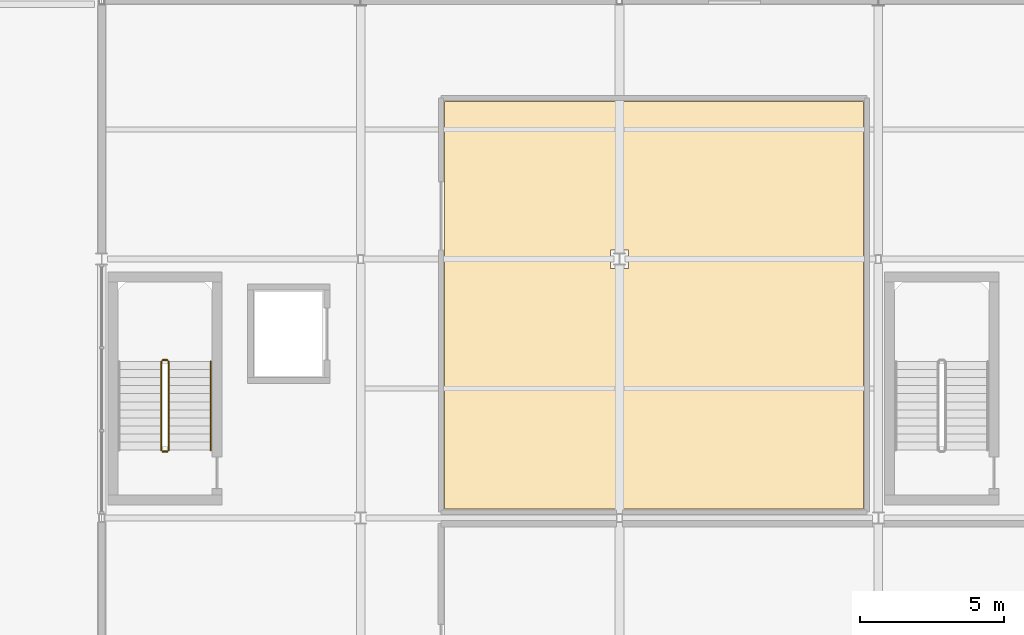
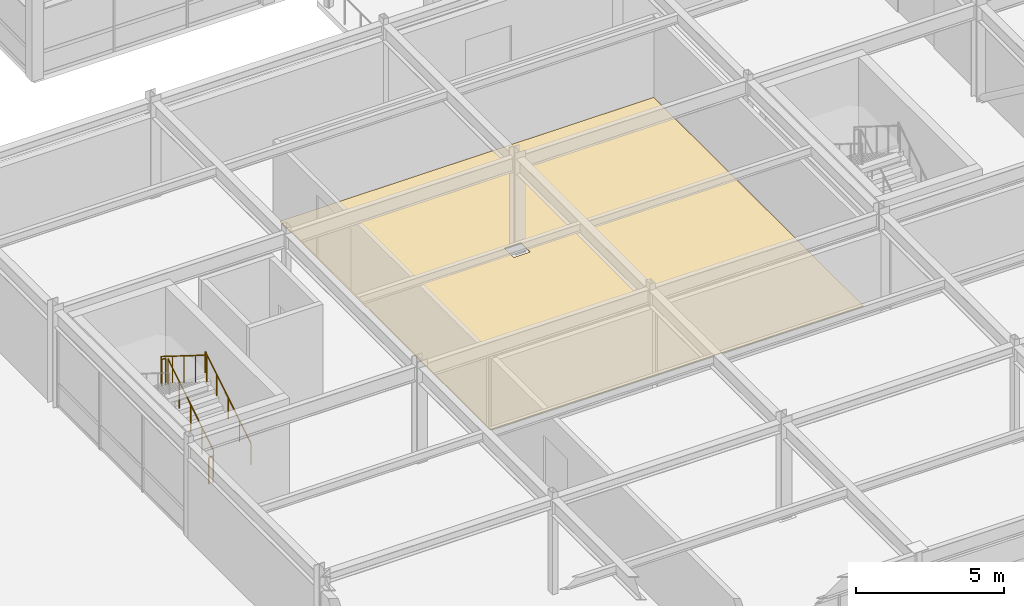
# One storey, part 99 of 105: 5 railings, 1 covering.
"""IFC4 building model written with IfcOpenShell, lengths in metres."""

from ifc_helpers import new_model, si_unit, direction, frame, origin, origin_2d, place, context, subcontext, project, spatial, polyline, circle, outline, extrude, material, layer, layer_set, type_object, element, save


model = new_model("IFC4")

# Units and contexts
model_context = context("Model", 3, precision=1e-05, world=origin(), true_north=direction((0.0, 1.0)))
body_context = subcontext(model_context, "Body", "Model", "MODEL_VIEW")
ifc_project = project(units=[si_unit("LENGTHUNIT", "METRE"), si_unit("AREAUNIT", "SQUARE_METRE"), si_unit("VOLUMEUNIT", "CUBIC_METRE"), si_unit("PLANEANGLEUNIT", "RADIAN"), si_unit("MASSUNIT", "GRAM", prefix="KILO")], contexts=[model_context])

# Site, building, storey
site_placement = place(None, origin())
site = spatial("IfcSite", under=ifc_project, at=site_placement, CompositionType="ELEMENT")
building_placement = place(site_placement, origin())
building = spatial("IfcBuilding", under=site, at=building_placement, Name="Suzunagisa Mobility Hub", CompositionType="ELEMENT")
storey_placement = place(building_placement, frame((0.0, 0.0, 5.10009765625)))
storey = spatial("IfcBuildingStorey", under=building, at=storey_placement, Name="L01", CompositionType="ELEMENT", Elevation=5.10009765625)

# Railings
ifc_material_1 = material(Name="Stainless Steel SUS304", Category="metal")
railing_type_1 = type_object("IfcRailingType", Name="Interior Well Guardrail IGR-01", PredefinedType="GUARDRAIL", material=ifc_material_1)
railing_1_placement = place(storey_placement, frame((137.330078125, 20.360107421875, 0.1748046875)))
element("IfcRailing", 1, at=railing_1_placement, inside=storey, type_object=railing_type_1, Name="L01 ST-09 stair guard 1", PredefinedType="GUARDRAIL", context=body_context, shape_type="SweptSolid", body=[
    extrude(circle(Radius=0.02392578125, at=origin_2d()), frame((0.0, 0.0, 1.09619140625), z_axis=(0.0, 0.847979421464, 0.530029150871), x_axis=(-1.0, 0.0, 0.0)), (0.0, 0.0, 1.0), 3.632080078125),
    extrude(circle(Radius=0.02099609375, at=origin_2d()), origin(), (0.0, 0.0, 1.0), 1.072021484375),
    extrude(circle(Radius=0.02099609375, at=origin_2d()), frame((0.0, 0.77001953125, 0.481201171875)), (0.0, 0.0, 1.0), 1.072021484375),
    extrude(circle(Radius=0.02099609375, at=origin_2d()), frame((0.0, 1.5400390625, 0.96240234375)), (0.0, 0.0, 1.0), 1.072021484375),
    extrude(circle(Radius=0.02099609375, at=origin_2d()), frame((0.0, 2.309814453125, 1.44384765625)), (0.0, 0.0, 1.0), 1.072021484375),
    extrude(circle(Radius=0.02099609375, at=origin_2d()), frame((0.0, 3.079833984375, 1.925048828125)), (0.0, 0.0, 1.0), 1.072021484375),
])
railing_2_placement = place(storey_placement, frame((137.280029296875, 23.489990234375, 2.099853515625)))
element("IfcRailing", 2, at=railing_2_placement, inside=storey, type_object=railing_type_1, Name="L01 ST-09 stair guard 2", PredefinedType="GUARDRAIL", context=body_context, shape_type="SweptSolid", body=[
    extrude(circle(Radius=0.02392578125, at=origin_2d()), frame((0.0, 0.0, 1.09619140625), z_axis=(-1.0, 0.0, 0.0), x_axis=(0.0, -1.0, 0.0)), (0.0, 0.0, 1.0), 0.159912109375),
    extrude(circle(Radius=0.02099609375, at=origin_2d()), origin(), (0.0, 0.0, 1.0), 1.072021484375),
    extrude(circle(Radius=0.02099609375, at=origin_2d()), frame((-0.159912109375, 0.0, 0.0)), (0.0, 0.0, 1.0), 1.072021484375),
])
railing_3_placement = place(storey_placement, frame((137.070068359375, 23.43994140625, 2.27490234375)))
element("IfcRailing", 3, at=railing_3_placement, inside=storey, type_object=railing_type_1, Name="L01 ST-09 stair guard 3", PredefinedType="GUARDRAIL", context=body_context, shape_type="SweptSolid", body=[
    extrude(circle(Radius=0.02392578125, at=origin_2d()), frame((0.0, 0.0, 1.09619140625), z_axis=(0.0, -0.847979421464, 0.530029150871), x_axis=(1.0, 0.0, 0.0)), (0.0, 0.0, 1.0), 3.632080078125),
    extrude(circle(Radius=0.02099609375, at=origin_2d()), origin(), (0.0, 0.0, 1.0), 1.072021484375),
    extrude(circle(Radius=0.02099609375, at=origin_2d()), frame((0.0, -0.77001953125, 0.481201171875)), (0.0, 0.0, 1.0), 1.072021484375),
    extrude(circle(Radius=0.02099609375, at=origin_2d()), frame((0.0, -1.5400390625, 0.96240234375)), (0.0, 0.0, 1.0), 1.072021484375),
    extrude(circle(Radius=0.02099609375, at=origin_2d()), frame((0.0, -2.309814453125, 1.44384765625)), (0.0, 0.0, 1.0), 1.072021484375),
    extrude(circle(Radius=0.02099609375, at=origin_2d()), frame((0.0, -3.079833984375, 1.925048828125)), (0.0, 0.0, 1.0), 1.072021484375),
])
railing_4_placement = place(storey_placement, frame((137.280029296875, 20.31005859375, 0.0)))
element("IfcRailing", 4, at=railing_4_placement, inside=storey, type_object=railing_type_1, Name="L01 ST-09 stair guard 4", PredefinedType="GUARDRAIL", context=body_context, shape_type="SweptSolid", body=[
    extrude(circle(Radius=0.02392578125, at=origin_2d()), frame((0.0, 0.0, 1.09619140625), z_axis=(-1.0, 0.0, 0.0), x_axis=(0.0, -1.0, 0.0)), (0.0, 0.0, 1.0), 0.159912109375),
    extrude(circle(Radius=0.02099609375, at=origin_2d()), origin(), (0.0, 0.0, 1.0), 1.072021484375),
    extrude(circle(Radius=0.02099609375, at=origin_2d()), frame((-0.159912109375, 0.0, 0.0)), (0.0, 0.0, 1.0), 1.072021484375),
])

# Covering
ifc_material_2 = material(Name="Polished Aggregate Terrazzo Finish")
ifc_layer = layer(ifc_material_2, 0.02001953125)
ifc_layer_set = layer_set([ifc_layer], Name="Polished Aggregate Terrazzo Finish")
covering_type = type_object("IfcCoveringType", Name="Polished Terrazzo Heavy-Traffic Flooring FLR-01", PredefinedType="FLOORING", material=ifc_layer_set)
covering_placement = place(storey_placement, origin())
element("IfcCovering", 5, at=covering_placement, inside=storey, type_object=covering_type, Name="L01 Autonomous Sensor Calibration and Electronics Lab Terrazzo Flooring", PredefinedType="FLOORING", context=body_context, shape_type="SweptSolid", body=[
    extrude(outline(polyline([(161.47998046875, 32.47998046875), (161.47998046875, 18.320068359375), (146.919921875, 18.320068359375), (146.919921875, 32.47998046875), (161.47998046875, 32.47998046875)]), holes=[polyline([(153.320068359375, 27.320068359375), (152.679931640625, 27.320068359375), (152.679931640625, 26.679931640625), (153.320068359375, 26.679931640625), (153.320068359375, 27.320068359375)])]), origin(), (0.0, 0.0, 1.0), 0.02001953125),
])

# Railing
railing_type_2 = type_object("IfcRailingType", Name="Tubular Stainless Stair Handrail IHR-01", PredefinedType="HANDRAIL", material=ifc_material_1)
railing_5_placement = place(storey_placement, frame((138.7900390625, 20.360107421875, 0.1748046875)))
element("IfcRailing", 6, at=railing_5_placement, inside=storey, type_object=railing_type_2, Name="L01 ST-09 stair handrail 1", PredefinedType="HANDRAIL", context=body_context, shape_type="SweptSolid", body=[
    extrude(circle(Radius=0.02392578125, at=origin_2d()), frame((0.0, 0.0, 0.8759765625), z_axis=(0.0, 0.847979421464, 0.530029150871), x_axis=(-1.0, 0.0, 0.0)), (0.0, 0.0, 1.0), 3.632080078125),
    extrude(circle(Radius=0.02099609375, at=origin_2d()), origin(), (0.0, 0.0, 1.0), 0.851806640625),
    extrude(circle(Radius=0.02099609375, at=origin_2d()), frame((0.0, 0.77001953125, 0.481201171875)), (0.0, 0.0, 1.0), 0.851806640625),
    extrude(circle(Radius=0.02099609375, at=origin_2d()), frame((0.0, 1.5400390625, 0.96240234375)), (0.0, 0.0, 1.0), 0.851806640625),
    extrude(circle(Radius=0.02099609375, at=origin_2d()), frame((0.0, 2.309814453125, 1.44384765625)), (0.0, 0.0, 1.0), 0.851806640625),
    extrude(circle(Radius=0.02099609375, at=origin_2d()), frame((0.0, 3.079833984375, 1.925048828125)), (0.0, 0.0, 1.0), 0.851806640625),
])

save(model, "model.ifc")
